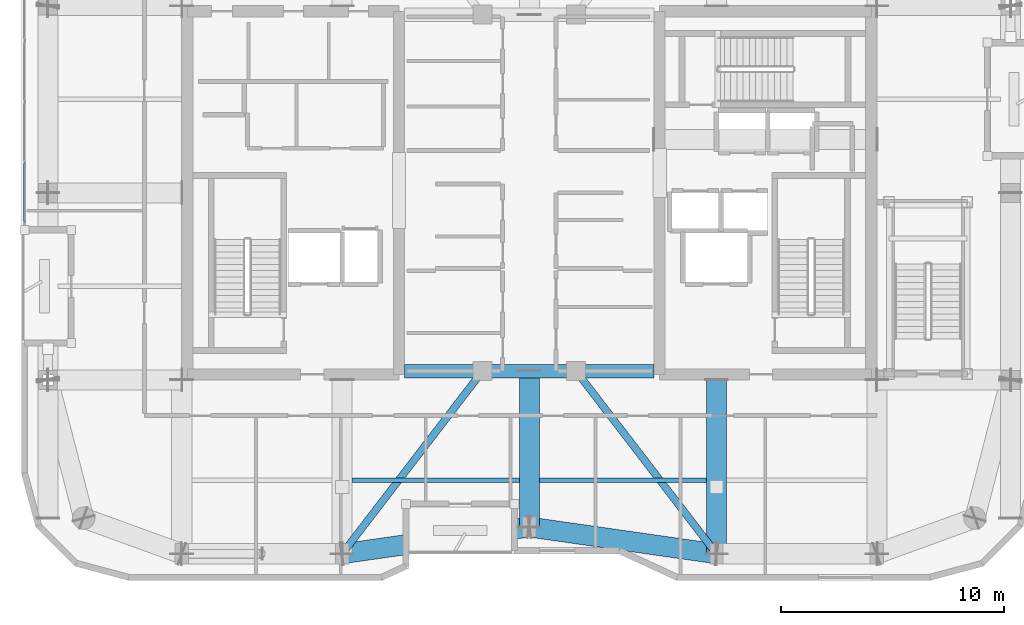
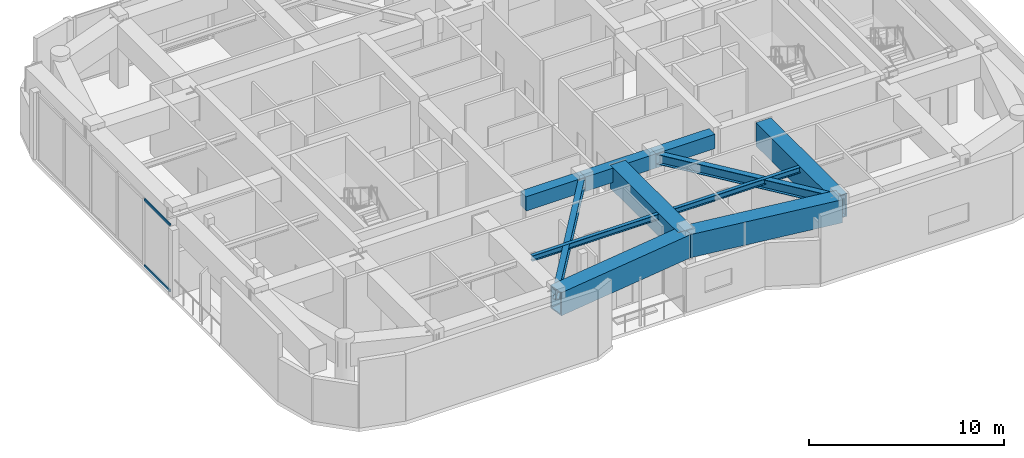
# One storey, part 3 of 17: 11 beams, 2 members, 1 element without a shape of its own.
"""IFC4 building model written with IfcOpenShell, lengths in metres."""

from ifc_helpers import new_model, si_unit, direction, frame, origin, origin_2d, place, context, subcontext, project, spatial, rectangle, hollow_rectangle, i_section, extrude, material, layer, layer_set, material_profile, profile_set, type_object, element, aggregate, save


model = new_model("IFC4")

# Units and contexts
model_context = context("Model", 3, precision=1e-05, world=origin(), true_north=direction((0.0, 1.0)))
body_context = subcontext(model_context, "Body", "Model", "MODEL_VIEW")
ifc_project = project(units=[si_unit("LENGTHUNIT", "METRE"), si_unit("AREAUNIT", "SQUARE_METRE"), si_unit("VOLUMEUNIT", "CUBIC_METRE"), si_unit("PLANEANGLEUNIT", "RADIAN"), si_unit("MASSUNIT", "GRAM", prefix="KILO")], contexts=[model_context])

# Site, building, storey
site_placement = place(None, origin())
site = spatial("IfcSite", under=ifc_project, at=site_placement, CompositionType="ELEMENT")
building_placement = place(site_placement, origin())
building = spatial("IfcBuilding", under=site, at=building_placement, Name="Kiyonajd Concourse Tower", CompositionType="ELEMENT")
storey_placement = place(building_placement, frame((0.0, 0.0, 350.39990234375)))
storey = spatial("IfcBuildingStorey", under=building, at=storey_placement, Name="L88", CompositionType="ELEMENT", Elevation=350.39990234375)

# Beams
ifc_material_1 = material(Name="Concrete C60/75", Category="concrete")
ifc_material_profile_1 = material_profile(ifc_material_1, rectangle(XDim=0.60009765625, YDim=0.89990234375, at=origin_2d()), Name="RCBM-600x900")
ifc_profile_set_1 = profile_set([ifc_material_profile_1], Name="Concrete C60/75")
beam_type_1 = type_object("IfcBeamType", Name="BM-COUP-900", PredefinedType="LINTEL", material=ifc_profile_set_1)
beam_1_placement = place(storey_placement, frame((42.39990234375, 28.0, 3.75), z_axis=(1.0, 0.0, 0.0), x_axis=(0.0, 1.0, 0.0)))
element("IfcBeam", 1, at=beam_1_placement, inside=storey, type_object=beam_type_1, Name="L88 Core Coupling Beam S1", PredefinedType="LINTEL", context=body_context, shape_type="SweptSolid", body=[
    extrude(rectangle(XDim=0.60009765625, YDim=0.89990234375, at=origin_2d()), origin(), (0.0, 0.0, 1.0), 3.5),
])
beam_2_placement = place(storey_placement, frame((45.89990234375, 28.0, 3.75), z_axis=(1.0, 0.0, 0.0), x_axis=(0.0, 1.0, 0.0)))
element("IfcBeam", 2, at=beam_2_placement, inside=storey, type_object=beam_type_1, Name="L88 Core Coupling Beam S2", PredefinedType="LINTEL", context=body_context, shape_type="SweptSolid", body=[
    extrude(rectangle(XDim=0.60009765625, YDim=0.89990234375, at=origin_2d()), origin(), (0.0, 0.0, 1.0), 4.2001953125),
])
beam_3_placement = place(storey_placement, frame((50.10009765625, 28.0, 3.75), z_axis=(1.0, 0.0, 0.0), x_axis=(0.0, 1.0, 0.0)))
element("IfcBeam", 3, at=beam_3_placement, inside=storey, type_object=beam_type_1, Name="L88 Core Coupling Beam S3", PredefinedType="LINTEL", context=body_context, shape_type="SweptSolid", body=[
    extrude(rectangle(XDim=0.60009765625, YDim=0.89990234375, at=origin_2d()), origin(), (0.0, 0.0, 1.0), 3.5),
])
ifc_material_2 = material(Name="Steel ASTM A992 Grade 50", Category="steel")
ifc_material_profile_2 = material_profile(ifc_material_2, i_section(OverallWidth=0.205078125, OverallDepth=0.35400390625, WebThickness=0.009521484375, FlangeThickness=0.016845703125, at=origin_2d()), Name="W360X79")
ifc_profile_set_2 = profile_set([ifc_material_profile_2], Name="Steel ASTM A992 Grade 50")
beam_type_2 = type_object("IfcBeamType", Name="BM-JST-360", PredefinedType="JOIST", material=ifc_profile_set_2)
for number, where, z_axis, x_axis, name in (
    (4, (40.050048828125, 23.10009765625, 3.983154296875), (1.0, 0.0, 0.0), (0.0, 1.0, 0.0), "L88 Secondary Floor Joist"),
    (5, (48.449951171875, 23.10009765625, 3.983154296875), (1.0, 0.0, 0.0), (0.0, 1.0, 0.0), "L88 Secondary Floor Joist"),
):
    element("IfcBeam", number, at=place(storey_placement, frame(where, z_axis=z_axis, x_axis=x_axis)), inside=storey, type_object=beam_type_2, Name=name, PredefinedType="JOIST", context=body_context, shape_type="SweptSolid", body=[
        extrude(i_section(OverallWidth=0.205078125, OverallDepth=0.35400390625, WebThickness=0.009521484375, FlangeThickness=0.016845703125, at=origin_2d()), origin(), (0.0, 0.0, 1.0), 7.5),
    ])
ifc_material_profile_3 = material_profile(ifc_material_2, i_section(OverallWidth=0.326904296875, OverallDepth=0.6220703125, WebThickness=0.015380859375, FlangeThickness=0.0244140625, at=origin_2d()), Name="W610X195")
ifc_profile_set_3 = profile_set([ifc_material_profile_3], Name="Steel ASTM A992 Grade 50")
beam_type_3 = type_object("IfcBeamType", Name="BM-TWR-610A", PredefinedType="BEAM", material=ifc_profile_set_3)
for number, where, z_axis, x_axis, name in (
    (6, (39.60009765625, 19.800048828125, 3.84912109375), (0.609233709922, 0.792990722956, 0.0), (-0.792990722956, 0.609233709922, 0.0), "L88 Core Tie Girder"),
    (7, (50.10009765625, 28.0, 3.84912109375), (0.609233709922, -0.792990722956, 0.0), (0.792990722956, 0.609233709922, 0.0), "L88 Core Tie Girder"),
):
    element("IfcBeam", number, at=place(storey_placement, frame(where, z_axis=z_axis, x_axis=x_axis)), inside=storey, type_object=beam_type_3, Name=name, PredefinedType="BEAM", context=body_context, shape_type="SweptSolid", body=[
        extrude(i_section(OverallWidth=0.326904296875, OverallDepth=0.6220703125, WebThickness=0.015380859375, FlangeThickness=0.0244140625, at=origin_2d()), origin(), (0.0, 0.0, 1.0), 10.340576171875),
    ])
ifc_material_3 = material(Name="Steel ASTM A572 Grade 50", Category="steel")
ifc_material_profile_4 = material_profile(ifc_material_3, hollow_rectangle(XDim=0.89990234375, YDim=1.449951171875, WallThickness=0.074951171875, at=origin_2d()), Name="BOX-1450x900x75")
ifc_profile_set_4 = profile_set([ifc_material_profile_4], Name="Steel ASTM A572 Grade 50")
beam_type_4 = type_object("IfcBeamType", Name="BM-XFER-1800", PredefinedType="BEAM", material=ifc_profile_set_4)
for number, where, z_axis, x_axis, name in (
    (8, (39.60009765625, 19.800048828125, 3.47509765625), (0.989950069105, 0.141417328072, 0.0), (-0.141417328072, 0.989950069105, 0.0), "L88 Perimeter Bundled Tube Spandrel"),
    (9, (48.0, 21.0, 3.47509765625), (0.989950069105, -0.141417328072, 0.0), (0.141417328072, 0.989950069105, 0.0), "L88 Perimeter Bundled Tube Spandrel"),
):
    element("IfcBeam", number, at=place(storey_placement, frame(where, z_axis=z_axis, x_axis=x_axis)), inside=storey, type_object=beam_type_4, Name=name, PredefinedType="BEAM", context=body_context, shape_type="SweptSolid", body=[
        extrude(hollow_rectangle(XDim=0.89990234375, YDim=1.449951171875, WallThickness=0.074951171875, at=origin_2d()), origin(), (0.0, 0.0, 1.0), 8.485107421875),
    ])
beam_4_placement = place(storey_placement, frame((56.39990234375, 19.800048828125, 3.43505859375), z_axis=(0.0, 1.0, 0.0), x_axis=(-1.0, 0.0, 0.0)))
element("IfcBeam", 10, at=beam_4_placement, inside=storey, type_object=beam_type_4, Name="L88 South Lease Girder", PredefinedType="BEAM", context=body_context, shape_type="SweptSolid", body=[
    extrude(hollow_rectangle(XDim=0.89990234375, YDim=1.449951171875, WallThickness=0.074951171875, at=origin_2d()), origin(), (0.0, 0.0, 1.0), 7.800048828125),
])
beam_5_placement = place(storey_placement, frame((48.0, 21.0, 3.47509765625), z_axis=(0.0, 1.0, 0.0), x_axis=(-1.0, 0.0, 0.0)))
element("IfcBeam", 11, at=beam_5_placement, inside=storey, type_object=beam_type_4, Name="L88 South Ribbon Girder", PredefinedType="BEAM", context=body_context, shape_type="SweptSolid", body=[
    extrude(hollow_rectangle(XDim=0.89990234375, YDim=1.449951171875, WallThickness=0.074951171875, at=origin_2d()), origin(), (0.0, 0.0, 1.0), 7.0),
])

# Curtain wall, members
ifc_material_4 = material(Name="Thermally Broken Anodised Aluminium", Category="aluminium")
ifc_layer = layer(ifc_material_4, 0.179931640625)
ifc_layer_set = layer_set([ifc_layer], Name="Thermally Broken Anodised Aluminium")
curtain_wall_type = type_object("IfcCurtainWallType", Name="CW-SYS-06", PredefinedType="NOTDEFINED", material=ifc_layer_set)
curtain_wall_placement = place(storey_placement, origin())
curtain_wall = element("IfcCurtainWall", 12, at=curtain_wall_placement, inside=storey, type_object=curtain_wall_type, Name="L88 Unitised Curtain Wall CW6", PredefinedType="NOTDEFINED")
ifc_material_profile_5 = material_profile(ifc_material_4, hollow_rectangle(XDim=0.074951171875, YDim=0.159912109375, WallThickness=0.0048828125, at=origin_2d()), Name="TRAN-75x160")
ifc_profile_set_5 = profile_set([ifc_material_profile_5], Name="Thermally Broken Anodised Aluminium")
member_type = type_object("IfcMemberType", Name="MB-CW-TRAN2", PredefinedType="USERDEFINED", material=ifc_profile_set_5)
member_1_placement = place(storey_placement, frame((25.340087890625, 34.705078125, 0.03759765625), z_axis=(0.0, 1.0, 0.0), x_axis=(-1.0, 0.0, 0.0)))
member_1 = element("IfcMember", 13, at=member_1_placement, type_object=member_type, Name="CW6 transom 1.1", ObjectType="TRANSOM", PredefinedType="USERDEFINED", context=body_context, shape_type="SweptSolid", body=[
    extrude(hollow_rectangle(XDim=0.074951171875, YDim=0.159912109375, WallThickness=0.0048828125, at=origin_2d()), origin(), (0.0, 0.0, 1.0), 2.61962890625),
])
member_2_placement = place(storey_placement, frame((25.340087890625, 34.705078125, 4.16259765625), z_axis=(0.0, 1.0, 0.0), x_axis=(-1.0, 0.0, 0.0)))
member_2 = element("IfcMember", 14, at=member_2_placement, type_object=member_type, Name="CW6 transom 1.2", ObjectType="TRANSOM", PredefinedType="USERDEFINED", context=body_context, shape_type="SweptSolid", body=[
    extrude(hollow_rectangle(XDim=0.074951171875, YDim=0.159912109375, WallThickness=0.0048828125, at=origin_2d()), origin(), (0.0, 0.0, 1.0), 2.61962890625),
])
aggregate(curtain_wall, [member_1, member_2])

save(model, "model.ifc")
